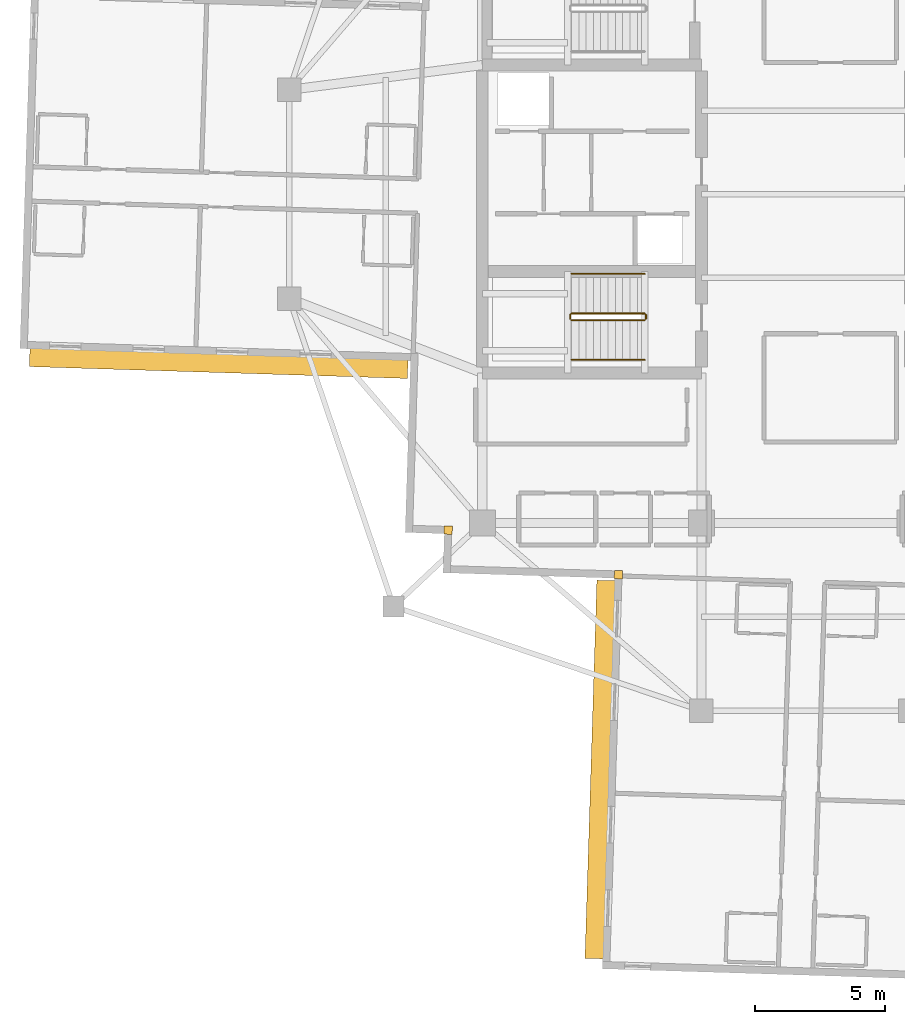
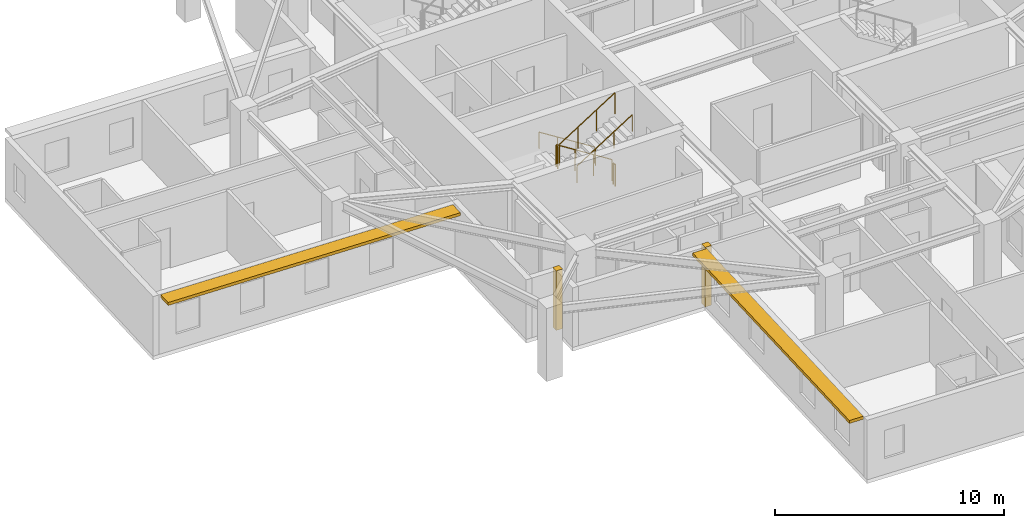
# One storey, part 9 of 12: 6 railings, 2 coverings, 2 shading devices.
"""IFC4 building model written with IfcOpenShell, lengths in metres."""

from ifc_helpers import new_model, si_unit, direction, frame, origin, origin_2d, place, context, subcontext, project, spatial, rectangle, circle, extrude, material, layer, layer_set, type_object, element, save


model = new_model("IFC4")

# Units and contexts
model_context = context("Model", 3, precision=1e-05, world=origin(), true_north=direction((0.0, 1.0)))
body_context = subcontext(model_context, "Body", "Model", "MODEL_VIEW")
ifc_project = project(units=[si_unit("LENGTHUNIT", "METRE"), si_unit("AREAUNIT", "SQUARE_METRE"), si_unit("VOLUMEUNIT", "CUBIC_METRE"), si_unit("PLANEANGLEUNIT", "RADIAN"), si_unit("MASSUNIT", "GRAM", prefix="KILO")], contexts=[model_context])

# Site, building, storey
site_placement = place(None, origin())
site = spatial("IfcSite", under=ifc_project, at=site_placement, CompositionType="ELEMENT")
building_placement = place(site_placement, origin())
building = spatial("IfcBuilding", under=site, at=building_placement, Name="Qingluan Cross Belvedere", CompositionType="ELEMENT")
storey_placement = place(building_placement, frame((0.0, 0.0, 232.5)))
storey = spatial("IfcBuildingStorey", under=building, at=storey_placement, Name="L58", CompositionType="ELEMENT", Elevation=232.5)

# Coverings
ifc_material_1 = material(Name="Precast concrete C45", Category="concrete")
ifc_layer_1 = layer(ifc_material_1, 0.1201171875, Name="ConcreteSpandrelCladding_120")
ifc_layer_set_1 = layer_set([ifc_layer_1], Name="Precast concrete C45")
covering_type = type_object("IfcCoveringType", Name="ConcreteSpandrelCladding_120", PredefinedType="CLADDING", material=ifc_layer_set_1)
for number, where, z_axis, x_axis, name in (
    (1, (-13.711181640625, -12.875732421875, 0.0), (0.0, 0.0, 1.0), (0.999506560366, -0.031410759078, 0.0), "Corner closure L58-SW1"),
    (2, (-7.181640625, -14.58154296875, 0.0), (0.0, 0.0, 1.0), (0.999506560366, -0.031410759078, 0.0), "Corner closure L58-SW2"),
):
    element("IfcCovering", number, at=place(storey_placement, frame(where, z_axis=z_axis, x_axis=x_axis)), inside=storey, type_object=covering_type, Name=name, PredefinedType="CLADDING", context=body_context, shape_type="SweptSolid", body=[
        extrude(rectangle(XDim=0.320068359375, YDim=0.320068359375, at=origin_2d()), origin(), (0.0, 0.0, 1.0), 3.179931640625),
    ])

# Shading devices
ifc_material_2 = material(Name="Precast concrete C45", Category="concrete")
ifc_layer_2 = layer(ifc_material_2, 0.139892578125, Name="ConcreteSunshadeBand_700")
ifc_layer_set_2 = layer_set([ifc_layer_2], Name="Precast concrete C45")
shading_device_type = type_object("IfcShadingDeviceType", Name="ConcreteSunshadeBand_700", PredefinedType="USERDEFINED", material=ifc_layer_set_2)
for number, where, z_axis, x_axis, name in (
    (3, (-22.5048828125, -6.486328125, 3.0), (0.0, 0.0, 1.0), (0.999506645453, -0.031408051437, 0.0), "Concrete SUNSHADE L58-WB"),
    (4, (-7.88671875, -22.052978515625, 3.0), (0.0, 0.0, 1.0), (-0.031408051437, -0.999506645453, 0.0), "Concrete SUNSHADE L58-SA"),
):
    element("IfcShadingDevice", number, at=place(storey_placement, frame(where, z_axis=z_axis, x_axis=x_axis)), inside=storey, type_object=shading_device_type, Name=name, ObjectType="SUNSHADE", PredefinedType="USERDEFINED", context=body_context, shape_type="SweptSolid", body=[
        extrude(rectangle(XDim=14.5, YDim=0.699951171875, at=origin_2d()), origin(), (0.0, 0.0, 1.0), 0.159912109375),
    ])

# Railings
ifc_material_3 = material(Name="Brushed stainless steel tubular handrail", Category="steel")
railing_type_1 = type_object("IfcRailingType", Name="StairPitchHandrail_900", PredefinedType="HANDRAIL", material=ifc_material_3)
railing_1_placement = place(storey_placement, frame((-6.179931640625, -3.050048828125, 0.17724609375)))
element("IfcRailing", 5, at=railing_1_placement, inside=storey, type_object=railing_type_1, Name="L58 ST1 stair handrail 1", PredefinedType="HANDRAIL", context=body_context, shape_type="SweptSolid", body=[
    extrude(circle(Radius=0.02392578125, at=origin_2d()), frame((0.0, 0.0, 0.8759765625), z_axis=(-0.844908973607, 0.0, 0.534910110503), x_axis=(0.0, -1.0, 0.0)), (0.0, 0.0, 1.0), 3.31396484375),
    extrude(circle(Radius=0.02099609375, at=origin_2d()), origin(), (0.0, 0.0, 1.0), 0.851806640625),
    extrude(circle(Radius=0.02099609375, at=origin_2d()), frame((-0.933349609375, 0.0, 0.5908203125)), (0.0, 0.0, 1.0), 0.851806640625),
    extrude(circle(Radius=0.02099609375, at=origin_2d()), frame((-1.86669921875, 0.0, 1.181884765625)), (0.0, 0.0, 1.0), 0.851806640625),
    extrude(circle(Radius=0.02099609375, at=origin_2d()), frame((-2.800048828125, 0.0, 1.772705078125)), (0.0, 0.0, 1.0), 0.851806640625),
])
railing_2_placement = place(storey_placement, frame((-8.97998046875, -6.35009765625, 2.127197265625)))
element("IfcRailing", 6, at=railing_2_placement, inside=storey, type_object=railing_type_1, Name="L58 ST1 stair handrail 2", PredefinedType="HANDRAIL", context=body_context, shape_type="SweptSolid", body=[
    extrude(circle(Radius=0.02392578125, at=origin_2d()), frame((0.0, 0.0, 0.8759765625), z_axis=(0.844908973607, 0.0, 0.534910110503), x_axis=(0.0, 1.0, 0.0)), (0.0, 0.0, 1.0), 3.31396484375),
    extrude(circle(Radius=0.02099609375, at=origin_2d()), origin(), (0.0, 0.0, 1.0), 0.851806640625),
    extrude(circle(Radius=0.02099609375, at=origin_2d()), frame((0.933349609375, 0.0, 0.5908203125)), (0.0, 0.0, 1.0), 0.851806640625),
    extrude(circle(Radius=0.02099609375, at=origin_2d()), frame((1.86669921875, 0.0, 1.181884765625)), (0.0, 0.0, 1.0), 0.851806640625),
    extrude(circle(Radius=0.02099609375, at=origin_2d()), frame((2.800048828125, 0.0, 1.772705078125)), (0.0, 0.0, 1.0), 0.851806640625),
])
ifc_material_4 = material(Name="Painted steel stair well guard", Category="steel")
railing_type_2 = type_object("IfcRailingType", Name="StairWellGuard_1150", PredefinedType="BALUSTRADE", material=ifc_material_4)
railing_3_placement = place(storey_placement, frame((-6.179931640625, -4.570068359375, 0.17724609375)))
element("IfcRailing", 7, at=railing_3_placement, inside=storey, type_object=railing_type_2, Name="L58 ST1 stair guard 1", PredefinedType="BALUSTRADE", context=body_context, shape_type="SweptSolid", body=[
    extrude(circle(Radius=0.02392578125, at=origin_2d()), frame((0.0, 0.0, 1.1259765625), z_axis=(-0.844908973607, 0.0, 0.534910110503), x_axis=(0.0, -1.0, 0.0)), (0.0, 0.0, 1.0), 3.31396484375),
    extrude(circle(Radius=0.02099609375, at=origin_2d()), origin(), (0.0, 0.0, 1.0), 1.101806640625),
    extrude(circle(Radius=0.02099609375, at=origin_2d()), frame((-0.933349609375, 0.0, 0.5908203125)), (0.0, 0.0, 1.0), 1.101806640625),
    extrude(circle(Radius=0.02099609375, at=origin_2d()), frame((-1.86669921875, 0.0, 1.181884765625)), (0.0, 0.0, 1.0), 1.101806640625),
    extrude(circle(Radius=0.02099609375, at=origin_2d()), frame((-2.800048828125, 0.0, 1.772705078125)), (0.0, 0.0, 1.0), 1.101806640625),
])
railing_4_placement = place(storey_placement, frame((-9.030029296875, -4.6201171875, 1.949951171875)))
element("IfcRailing", 8, at=railing_4_placement, inside=storey, type_object=railing_type_2, Name="L58 ST1 stair guard 2", PredefinedType="BALUSTRADE", context=body_context, shape_type="SweptSolid", body=[
    extrude(circle(Radius=0.02392578125, at=origin_2d()), frame((0.0, 0.0, 1.1259765625), z_axis=(0.0, -1.0, 0.0), x_axis=(1.0, 0.0, 0.0)), (0.0, 0.0, 1.0), 0.159912109375),
    extrude(circle(Radius=0.02099609375, at=origin_2d()), origin(), (0.0, 0.0, 1.0), 1.101806640625),
    extrude(circle(Radius=0.02099609375, at=origin_2d()), frame((0.0, -0.159912109375, 0.0)), (0.0, 0.0, 1.0), 1.101806640625),
])
railing_5_placement = place(storey_placement, frame((-8.97998046875, -4.830078125, 2.127197265625)))
element("IfcRailing", 9, at=railing_5_placement, inside=storey, type_object=railing_type_2, Name="L58 ST1 stair guard 3", PredefinedType="BALUSTRADE", context=body_context, shape_type="SweptSolid", body=[
    extrude(circle(Radius=0.02392578125, at=origin_2d()), frame((0.0, 0.0, 1.1259765625), z_axis=(0.844908973607, 0.0, 0.534910110503), x_axis=(0.0, 1.0, 0.0)), (0.0, 0.0, 1.0), 3.31396484375),
    extrude(circle(Radius=0.02099609375, at=origin_2d()), origin(), (0.0, 0.0, 1.0), 1.101806640625),
    extrude(circle(Radius=0.02099609375, at=origin_2d()), frame((0.933349609375, 0.0, 0.5908203125)), (0.0, 0.0, 1.0), 1.101806640625),
    extrude(circle(Radius=0.02099609375, at=origin_2d()), frame((1.86669921875, 0.0, 1.181884765625)), (0.0, 0.0, 1.0), 1.101806640625),
    extrude(circle(Radius=0.02099609375, at=origin_2d()), frame((2.800048828125, 0.0, 1.772705078125)), (0.0, 0.0, 1.0), 1.101806640625),
])
railing_6_placement = place(storey_placement, frame((-6.1298828125, -4.6201171875, 0.0)))
element("IfcRailing", 10, at=railing_6_placement, inside=storey, type_object=railing_type_2, Name="L58 ST1 stair guard 4", PredefinedType="BALUSTRADE", context=body_context, shape_type="SweptSolid", body=[
    extrude(circle(Radius=0.02392578125, at=origin_2d()), frame((0.0, 0.0, 1.1259765625), z_axis=(0.0, -1.0, 0.0), x_axis=(1.0, 0.0, 0.0)), (0.0, 0.0, 1.0), 0.159912109375),
    extrude(circle(Radius=0.02099609375, at=origin_2d()), origin(), (0.0, 0.0, 1.0), 1.101806640625),
    extrude(circle(Radius=0.02099609375, at=origin_2d()), frame((0.0, -0.159912109375, 0.0)), (0.0, 0.0, 1.0), 1.101806640625),
])

save(model, "model.ifc")
